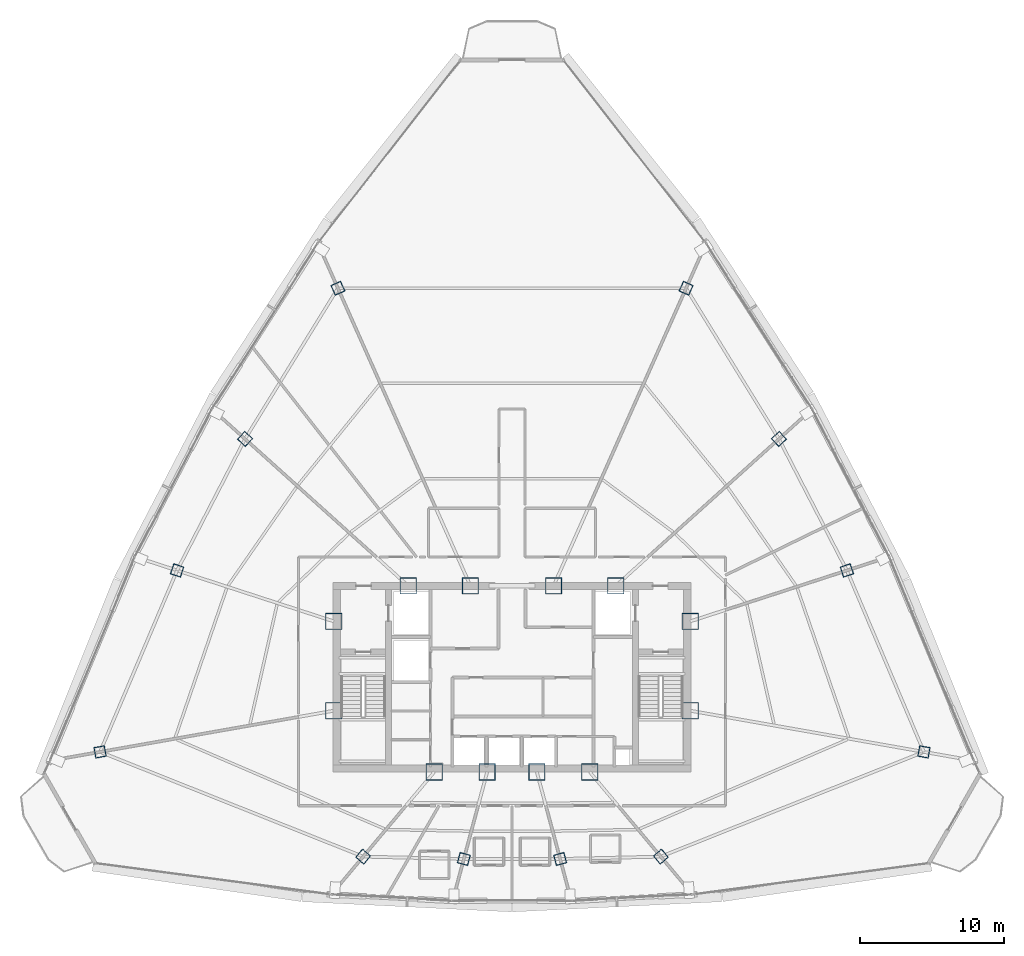
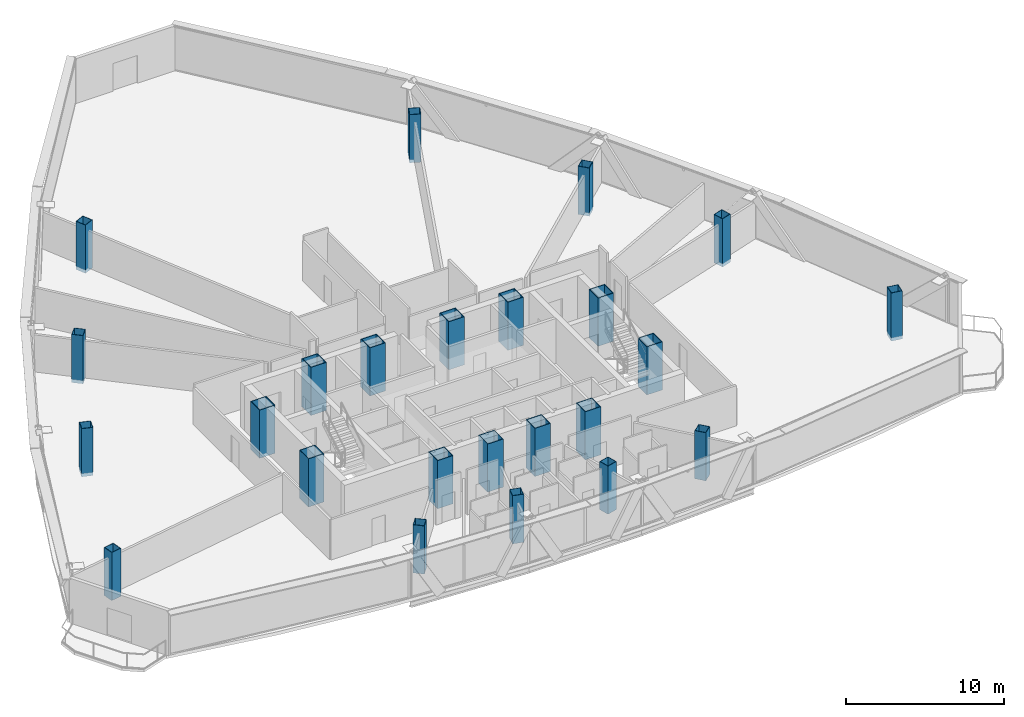
# One storey, part 1 of 39: 24 columns.
"""IFC4 building model written with IfcOpenShell, lengths in metres."""

from ifc_helpers import new_model, si_unit, direction, frame, origin, origin_2d, place, context, subcontext, project, spatial, hollow_rectangle, extrude, source, transform, mapped, material, material_profile, profile_set, type_object, element, save


model = new_model("IFC4")

# Units and contexts
model_context = context("Model", 3, precision=1e-05, world=origin(), true_north=direction((0.0, 1.0)))
body_context = subcontext(model_context, "Body", "Model", "MODEL_VIEW")
ifc_project = project(units=[si_unit("LENGTHUNIT", "METRE"), si_unit("AREAUNIT", "SQUARE_METRE"), si_unit("VOLUMEUNIT", "CUBIC_METRE"), si_unit("PLANEANGLEUNIT", "RADIAN"), si_unit("MASSUNIT", "GRAM", prefix="KILO"), si_unit("THERMODYNAMICTEMPERATUREUNIT", "KELVIN"), si_unit("POWERUNIT", "WATT")], contexts=[model_context])

# Site, building, storey
site_placement = place(None, origin())
site = spatial("IfcSite", under=ifc_project, at=site_placement, CompositionType="ELEMENT")
building_placement = place(site_placement, origin())
building = spatial("IfcBuilding", under=site, at=building_placement, Name="Yunzhuo Pagoda Commons", CompositionType="ELEMENT")
storey_placement = place(building_placement, frame((0.0, 0.0, 285.02001953125)))
storey = spatial("IfcBuildingStorey", under=building, at=storey_placement, Name="L71", CompositionType="ELEMENT", Elevation=285.02001953125)

# Columns
ifc_material_1 = material(Name="Structural steel Q420B", Category="steel")
ifc_material_profile_1 = material_profile(ifc_material_1, hollow_rectangle(XDim=1.14990234375, YDim=1.14990234375, WallThickness=0.048095703125, at=origin_2d()), Name="Structural steel Q420B")
ifc_profile_set_1 = profile_set([ifc_material_profile_1], Name="Structural steel Q420B")
column_type_1 = type_object("IfcColumnType", Name="C-COR Column BOX 1150x1150x48", PredefinedType="COLUMN", material=ifc_profile_set_1)
shared_shape_1 = source(origin(), body_context, "Body", "SweptSolid", [
    extrude(hollow_rectangle(XDim=1.14990234375, YDim=1.14990234375, WallThickness=0.048095703125, at=origin_2d()), origin(), (0.0, 0.0, 1.0), 3.72998046875),
])
for number, where, z_axis, x_axis, name in (
    (1, (42.587890625, 27.25, -0.260009765625), (0.0, 0.0, 1.0), (1.0, 0.0, 0.0), "L71 core composite column F1C1"),
    (2, (46.27197265625, 27.25, -0.260009765625), (0.0, 0.0, 1.0), (1.0, 0.0, 0.0), "L71 core composite column F1C2"),
    (3, (49.728515625, 27.25, -0.260009765625), (0.0, 0.0, 1.0), (1.0, 0.0, 0.0), "L71 core composite column F1C3"),
    (4, (53.412109375, 27.25, -0.260009765625), (0.0, 0.0, 1.0), (1.0, 0.0, 0.0), "L71 core composite column F1C4"),
    (5, (60.39990234375, 31.513427734375, -0.260009765625), (0.0, 0.0, 1.0), (1.0, 0.0, 0.0), "L71 core composite column F2C1"),
    (6, (60.39990234375, 37.72900390625, -0.260009765625), (0.0, 0.0, 1.0), (1.0, 0.0, 0.0), "L71 core composite column F2C2"),
    (7, (55.218994140625, 40.199951171875, -0.260009765625), (0.0, 0.0, 1.0), (1.0, 0.0, 0.0), "L71 core composite column F2C3"),
    (8, (50.89404296875, 40.199951171875, -0.260009765625), (0.0, 0.0, 1.0), (1.0, 0.0, 0.0), "L71 core composite column F2C4"),
    (9, (45.10595703125, 40.199951171875, -0.260009765625), (0.0, 0.0, 1.0), (1.0, 0.0, 0.0), "L71 core composite column F3C1"),
    (10, (40.781005859375, 40.199951171875, -0.260009765625), (0.0, 0.0, 1.0), (1.0, 0.0, 0.0), "L71 core composite column F3C2"),
    (11, (35.60009765625, 37.72900390625, -0.260009765625), (0.0, 0.0, 1.0), (1.0, 0.0, 0.0), "L71 core composite column F3C3"),
    (12, (35.60009765625, 31.513427734375, -0.260009765625), (0.0, 0.0, 1.0), (1.0, 0.0, 0.0), "L71 core composite column F3C4"),
):
    element("IfcColumn", number, at=place(storey_placement, frame(where, z_axis=z_axis, x_axis=x_axis)), inside=storey, type_object=column_type_1, Name=name, PredefinedType="COLUMN", context=body_context, shape_type="MappedRepresentation", body=[
        mapped(shared_shape_1, transform((0.0, 0.0, 0.0), scale=1.0)),
    ])
ifc_material_2 = material(Name="Structural steel Q355B", Category="steel")
ifc_material_profile_2 = material_profile(ifc_material_2, hollow_rectangle(XDim=0.75, YDim=0.75, WallThickness=0.028076171875, at=origin_2d()), Name="Structural steel Q355B")
ifc_profile_set_2 = profile_set([ifc_material_profile_2], Name="Structural steel Q355B")
column_type_2 = type_object("IfcColumnType", Name="C-Z6 Column BOX 750x750x28", PredefinedType="COLUMN", material=ifc_profile_set_2)
shared_shape_2 = source(origin(), body_context, "Body", "SweptSolid", [
    extrude(hollow_rectangle(XDim=0.75, YDim=0.75, WallThickness=0.028076171875, at=origin_2d()), origin(), (0.0, 0.0, 1.0), 3.72998046875),
])
for number, where, z_axis, x_axis, name in (
    (13, (37.64697265625, 21.361572265625, -0.260009765625), (0.0, 0.0, 1.0), (0.766044443119, -0.642787609687, 0.0), "L71 tower column F1C1"),
    (14, (44.6494140625, 21.195556640625, -0.260009765625), (0.0, 0.0, 1.0), (0.965925826289, -0.258819045103, 0.0), "L71 tower column F1C2"),
    (15, (51.3505859375, 21.195556640625, -0.260009765625), (0.0, 0.0, 1.0), (0.965925826289, 0.258819045103, 0.0), "L71 tower column F1C3"),
    (16, (58.353515625, 21.361572265625, -0.260009765625), (0.0, 0.0, 1.0), (0.766044443119, 0.642787609687, 0.0), "L71 tower column F1C4"),
    (17, (76.66162109375, 28.646240234375, -0.260009765625), (0.0, 0.0, 1.0), (0.173648177667, 0.984807753012, 0.0), "L71 tower column F2C1"),
    (18, (71.302490234375, 41.271484375, -0.260009765625), (0.0, 0.0, 1.0), (-0.309016994375, 0.951056516295, 0.0), "L71 tower column F2C2"),
    (19, (66.5732421875, 50.423583984375, -0.260009765625), (0.0, 0.0, 1.0), (-0.669130606359, 0.743144825477, 0.0), "L71 tower column F2C3"),
    (20, (60.1142578125, 60.9091796875, -0.260009765625), (0.0, 0.0, 1.0), (-0.913545457643, 0.406736643076, 0.0), "L71 tower column F2C4"),
    (21, (35.8857421875, 60.9091796875, -0.260009765625), (0.0, 0.0, 1.0), (-0.913545457643, -0.406736643076, 0.0), "L71 tower column F3C1"),
    (22, (29.4267578125, 50.423583984375, -0.260009765625), (0.0, 0.0, 1.0), (-0.669130606359, -0.743144825477, 0.0), "L71 tower column F3C2"),
    (23, (24.697509765625, 41.271484375, -0.260009765625), (0.0, 0.0, 1.0), (-0.309016994375, -0.951056516295, 0.0), "L71 tower column F3C3"),
    (24, (19.33837890625, 28.646240234375, -0.260009765625), (0.0, 0.0, 1.0), (0.173648177667, -0.984807753012, 0.0), "L71 tower column F3C4"),
):
    element("IfcColumn", number, at=place(storey_placement, frame(where, z_axis=z_axis, x_axis=x_axis)), inside=storey, type_object=column_type_2, Name=name, PredefinedType="COLUMN", context=body_context, shape_type="MappedRepresentation", body=[
        mapped(shared_shape_2, transform((0.0, 0.0, 0.0), scale=1.0)),
    ])

save(model, "model.ifc")
